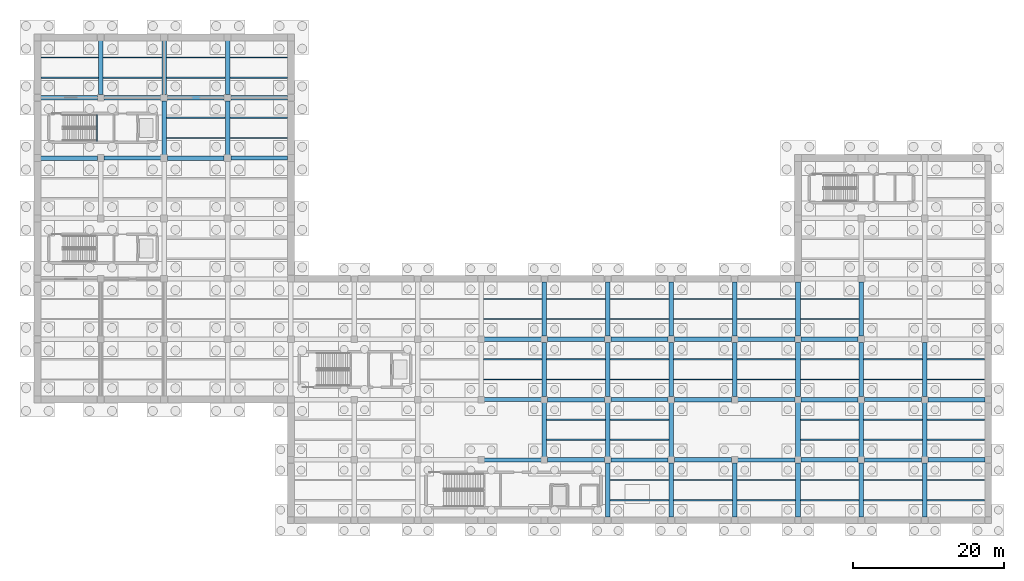
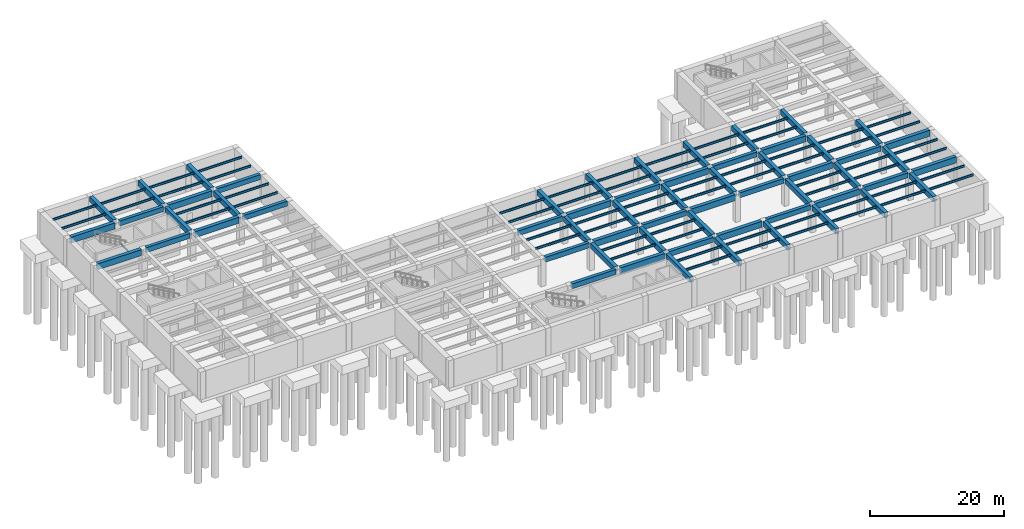
# One storey, part 4 of 12: 123 beams.
"""IFC4 building model written with IfcOpenShell, lengths in metres."""

import ifcopenshell
import ifcopenshell.guid

model = None  # the IFC model being written
_history = None  # IfcOwnerHistory: only IFC2X3 demands one
_inside = {}  # id of a spatial element -> (the spatial element, [elements in it])
_under = {}  # id of a project, library or spatial element -> (it, [spatial elements below it])
_declared = {}  # id of a project -> (the project, [libraries it declares])
_typed = {}  # id of a type object -> (the type object, [elements of that type])
_made_of = {}  # id of a material, layer set ... -> (it, [elements and type objects made of it])


def new_model(schema):
    """Start an empty IFC model of exactly this schema.

    Asked for "IFC4X3", IfcOpenShell would pick the latest addendum, in which some entities
    have other attributes; the version numbers below select the first issue.
    IFC2X3 requires an IfcOwnerHistory on every rooted entity: one is made here for all.
    """
    global model, _history
    if schema == "IFC4X3":
        model = ifcopenshell.file(schema_version=(4, 3, 0, 0))
    else:
        model = ifcopenshell.file(schema=schema)
    _inside.clear()
    _under.clear()
    _declared.clear()
    _typed.clear()
    _made_of.clear()
    _history = None
    if model.schema == "IFC2X3":
        org = make("IfcOrganization", Name="unknown")
        user = make(
            "IfcPersonAndOrganization",
            ThePerson=make("IfcPerson", FamilyName="unknown"),
            TheOrganization=org,
        )
        app = make(
            "IfcApplication",
            ApplicationDeveloper=org,
            Version="unknown",
            ApplicationFullName="unknown",
            ApplicationIdentifier="unknown",
        )
        _history = make(
            "IfcOwnerHistory",
            OwningUser=user,
            OwningApplication=app,
            ChangeAction="ADDED",
            CreationDate=0,
        )
    return model


def make(cls, **values):
    """One entity of the class cls with the attributes given. An attribute that is None is left unset."""
    return model.create_entity(
        cls, **{name: value for name, value in values.items() if value is not None}
    )


def rooted(cls, **values):
    """An entity with a GlobalId (a new one), such as an element, a storey or a relation."""
    return make(cls, GlobalId=ifcopenshell.guid.new(), OwnerHistory=_history, **values)


def si_unit(unit_type, name, prefix=None):
    """IfcSIUnit, for example si_unit("LENGTHUNIT", "METRE", prefix="MILLI")."""
    return make("IfcSIUnit", UnitType=unit_type, Prefix=prefix, Name=name)


def assignment(units):
    """IfcUnitAssignment: the units of a project."""
    return None if units is None else make("IfcUnitAssignment", Units=units)


def point(xyz):
    """IfcCartesianPoint."""
    return None if xyz is None else make("IfcCartesianPoint", Coordinates=xyz)


def direction(xyz):
    """IfcDirection."""
    return None if xyz is None else make("IfcDirection", DirectionRatios=xyz)


def frame(location, z_axis=None, x_axis=None):
    """IfcAxis2Placement3D, a coordinate frame: its origin and axes. An axis left out is left unset."""
    return make(
        "IfcAxis2Placement3D",
        Location=point(location),
        Axis=direction(z_axis),
        RefDirection=direction(x_axis),
    )


def frame_2d(location, x_axis=None):
    """IfcAxis2Placement2D, a coordinate frame in the plane: its origin and x axis."""
    return make(
        "IfcAxis2Placement2D", Location=point(location), RefDirection=direction(x_axis)
    )


def origin():
    """The frame at (0, 0, 0) with its axes left unset."""
    return frame((0.0, 0.0, 0.0))


def origin_2d():
    """The frame at (0, 0) in the plane with its x axis left unset."""
    return frame_2d((0.0, 0.0))


def place(relative_to, where):
    """IfcLocalPlacement: puts the frame where relative to a parent placement (None: the world)."""
    return make(
        "IfcLocalPlacement", PlacementRelTo=relative_to, RelativePlacement=where
    )


def context(
    kind, dimensions, precision=None, world=None, true_north=None, identifier=None
):
    """IfcGeometricRepresentationContext, for example the 3D "Model" context."""
    return make(
        "IfcGeometricRepresentationContext",
        ContextIdentifier=identifier,
        ContextType=kind,
        CoordinateSpaceDimension=dimensions,
        Precision=precision,
        WorldCoordinateSystem=world,
        TrueNorth=true_north,
    )


def subcontext(parent, identifier, kind, view, scale=None):
    """IfcGeometricRepresentationSubContext, for example "Body" below "Model"."""
    return make(
        "IfcGeometricRepresentationSubContext",
        ContextIdentifier=identifier,
        ContextType=kind,
        ParentContext=parent,
        TargetScale=scale,
        TargetView=view,
    )


def project(units=None, contexts=None):
    """IfcProject with its units and contexts."""
    return rooted(
        "IfcProject",
        Name="project",
        RepresentationContexts=contexts,
        UnitsInContext=assignment(units),
    )


def spatial(cls, under=None, at=None, **own):
    """A site, building, storey or space (cls), placed at a placement, below another one or the project."""
    s = rooted(cls, ObjectPlacement=at, **own)
    if under is not None:
        _under.setdefault(under.id(), (under, []))[1].append(s)
    return s


def profile(cls, at=None, kind="AREA", **sizes):
    """A parametric profile (cls). Its sizes go by their IFC names, for example OverallWidth=200.0."""
    return make(cls, ProfileType=kind, Position=at, **sizes)


def rectangle(**sizes):
    """IfcRectangleProfileDef."""
    return profile("IfcRectangleProfileDef", **sizes)


def i_section(**sizes):
    """IfcIShapeProfileDef."""
    return profile("IfcIShapeProfileDef", **sizes)


def extrude(swept, where, along, depth):
    """IfcExtrudedAreaSolid: the profile swept, set in the frame where, extruded along a direction by depth."""
    return make(
        "IfcExtrudedAreaSolid",
        SweptArea=swept,
        Position=where,
        ExtrudedDirection=direction(along),
        Depth=depth,
    )


def shape(context_of_items, identifier, shape_type, items):
    """IfcShapeRepresentation: the items that make up one representation, for example the "Body"."""
    return make(
        "IfcShapeRepresentation",
        ContextOfItems=context_of_items,
        RepresentationIdentifier=identifier,
        RepresentationType=shape_type,
        Items=items,
    )


def material(Name=None, Category=None):
    """IfcMaterial."""
    return make("IfcMaterial", Name=Name, Category=Category)


def material_profile(
    of_material, cross_section, Name=None, Category=None, Priority=None
):
    """IfcMaterialProfile: a cross section and its material."""
    return make(
        "IfcMaterialProfile",
        Name=Name,
        Material=of_material,
        Profile=cross_section,
        Priority=Priority,
        Category=Category,
    )


def profile_set(profiles, Name=None, composite=None):
    """IfcMaterialProfileSet."""
    return make(
        "IfcMaterialProfileSet",
        Name=Name,
        MaterialProfiles=profiles,
        CompositeProfile=composite,
    )


def made_of(thing, what):
    """Note that an element or type object is made of a material, layer set ...; save() writes the relation."""
    if what is not None:
        _made_of.setdefault(what.id(), (what, []))[1].append(thing)
    return thing


def type_object(cls, material=None, **own):
    """A type object (cls), such as IfcWallType, which elements share."""
    return made_of(rooted(cls, **own), material)


def element(
    cls,
    number,
    at=None,
    inside=None,
    cuts=None,
    type_object=None,
    material=None,
    context=None,
    identifier="Body",
    shape_type=None,
    held_by="IfcProductDefinitionShape",
    body=None,
    shapes=None,
    **own,
):
    """One element of the class cls, such as IfcWall. Its Tag is "e" and its number.

    at: its placement. inside: the storey or other place that contains it. cuts: it is an
    opening in that element (IfcRelVoidsElement). A single representation is given by context,
    identifier, shape_type and body (its items); several are given by shapes. held_by: the class
    of the entity that holds the representations. save() writes the other relations.
    """
    e = rooted(cls, Tag="e%d" % number, ObjectPlacement=at, **own)
    if body is not None:
        shapes = [shape(context, identifier, shape_type, body)]
    if shapes is not None:
        e.Representation = make(held_by, Representations=shapes)
    if inside is not None:
        _inside.setdefault(inside.id(), (inside, []))[1].append(e)
    if cuts is not None:
        rooted(
            "IfcRelVoidsElement", RelatingBuildingElement=cuts, RelatedOpeningElement=e
        )
    if type_object is not None:
        _typed.setdefault(type_object.id(), (type_object, []))[1].append(e)
    return made_of(e, material)


def aggregate(whole, parts):
    """IfcRelAggregates: a whole, such as a stair, and the parts it consists of."""
    return rooted("IfcRelAggregates", RelatingObject=whole, RelatedObjects=parts)


def save(model, path):
    """Write the relations noted so far, then the file.

    IfcRelAggregates (storeys below a building ...), IfcRelContainedInSpatialStructure (elements
    in a storey), IfcRelDefinesByType, IfcRelAssociatesMaterial and IfcRelDeclares: one each for
    every whole, place, type object, material and project.
    """
    for whole, parts in _under.values():
        aggregate(whole, parts)
    for where, things in _inside.values():
        rooted(
            "IfcRelContainedInSpatialStructure",
            RelatedElements=things,
            RelatingStructure=where,
        )
    for kind, things in _typed.values():
        rooted("IfcRelDefinesByType", RelatedObjects=things, RelatingType=kind)
    for what, things in _made_of.values():
        rooted("IfcRelAssociatesMaterial", RelatedObjects=things, RelatingMaterial=what)
    for by, libraries in _declared.values():
        rooted("IfcRelDeclares", RelatingContext=by, RelatedDefinitions=libraries)
    model.write(path)


model = new_model("IFC4")

# Units and contexts
model_context = context("Model", 3, precision=1e-05, world=origin(), true_north=direction((0.0, 1.0)))
body_context = subcontext(model_context, "Body", "Model", "MODEL_VIEW")
ifc_project = project(units=[si_unit("LENGTHUNIT", "METRE"), si_unit("AREAUNIT", "SQUARE_METRE"), si_unit("VOLUMEUNIT", "CUBIC_METRE"), si_unit("PLANEANGLEUNIT", "RADIAN"), si_unit("MASSUNIT", "GRAM", prefix="KILO")], contexts=[model_context])

# Site, building, storey
site_placement = place(None, origin())
site = spatial("IfcSite", under=ifc_project, at=site_placement, CompositionType="ELEMENT")
building_placement = place(site_placement, origin())
building = spatial("IfcBuilding", under=site, at=building_placement, Name="Kranzveld Transit Interchange", CompositionType="ELEMENT")
storey_placement = place(building_placement, frame((0.0, 0.0, -10.8798828125)))
storey = spatial("IfcBuildingStorey", under=building, at=storey_placement, Name="B2", CompositionType="ELEMENT", Elevation=-10.8798828125)

# Beams
ifc_material_1 = material(Name="Steel S355JR", Category="steel")
ifc_material_profile_1 = material_profile(ifc_material_1, i_section(OverallWidth=0.1787109375, OverallDepth=0.409423828125, WebThickness=0.0087890625, FlangeThickness=0.014404296875, FilletRadius=0.01025390625, at=origin_2d()), Name="UB 406x178x67")
ifc_profile_set_1 = profile_set([ifc_material_profile_1], Name="Steel S355JR")
beam_type_1 = type_object("IfcBeamType", Name="Floor Joist UB 406x178x67 S355JR", PredefinedType="JOIST", material=ifc_profile_set_1)
for number, where, z_axis, x_axis, name in (
    (1, (0.451904296875, 90.666748046875, 4.835205078125), (1.0, 0.0, 0.0), (0.0, 1.0, 0.0), "B2 Secondary Joist 01-02/M.1"),
    (2, (0.451904296875, 93.333251953125, 4.835205078125), (1.0, 0.0, 0.0), (0.0, 1.0, 0.0), "B2 Secondary Joist 01-02/M.2"),
):
    element("IfcBeam", number, at=place(storey_placement, frame(where, z_axis=z_axis, x_axis=x_axis)), inside=storey, type_object=beam_type_1, Name=name, PredefinedType="JOIST", context=body_context, shape_type="SweptSolid", body=[
        extrude(i_section(OverallWidth=0.1787109375, OverallDepth=0.409423828125, WebThickness=0.0087890625, FlangeThickness=0.014404296875, FilletRadius=0.01025390625, at=origin_2d()), origin(), (0.0, 0.0, 1.0), 7.64599609375),
    ])
for number, where, z_axis, x_axis, name in (
    (3, (8.701904296875, 90.666748046875, 4.835205078125), (1.0, 0.0, 0.0), (0.0, 1.0, 0.0), "B2 Secondary Joist 02-03/M.1"),
    (4, (8.701904296875, 93.333251953125, 4.835205078125), (1.0, 0.0, 0.0), (0.0, 1.0, 0.0), "B2 Secondary Joist 02-03/M.2"),
):
    element("IfcBeam", number, at=place(storey_placement, frame(where, z_axis=z_axis, x_axis=x_axis)), inside=storey, type_object=beam_type_1, Name=name, PredefinedType="JOIST", context=body_context, shape_type="SweptSolid", body=[
        extrude(i_section(OverallWidth=0.1787109375, OverallDepth=0.409423828125, WebThickness=0.0087890625, FlangeThickness=0.014404296875, FilletRadius=0.01025390625, at=origin_2d()), origin(), (0.0, 0.0, 1.0), 7.796142578125),
    ])
for number, where, z_axis, x_axis, name in (
    (5, (17.10205078125, 82.666748046875, 4.835205078125), (1.0, 0.0, 0.0), (0.0, 1.0, 0.0), "B2 Secondary Joist 03-04/L.1"),
    (6, (17.10205078125, 85.333251953125, 4.835205078125), (1.0, 0.0, 0.0), (0.0, 1.0, 0.0), "B2 Secondary Joist 03-04/L.2"),
    (7, (17.10205078125, 90.666748046875, 4.835205078125), (1.0, 0.0, 0.0), (0.0, 1.0, 0.0), "B2 Secondary Joist 03-04/M.1"),
    (8, (17.10205078125, 93.333251953125, 4.835205078125), (1.0, 0.0, 0.0), (0.0, 1.0, 0.0), "B2 Secondary Joist 03-04/M.2"),
):
    element("IfcBeam", number, at=place(storey_placement, frame(where, z_axis=z_axis, x_axis=x_axis)), inside=storey, type_object=beam_type_1, Name=name, PredefinedType="JOIST", context=body_context, shape_type="SweptSolid", body=[
        extrude(i_section(OverallWidth=0.1787109375, OverallDepth=0.409423828125, WebThickness=0.0087890625, FlangeThickness=0.014404296875, FilletRadius=0.01025390625, at=origin_2d()), origin(), (0.0, 0.0, 1.0), 7.7958984375),
    ])
for number, where, z_axis, x_axis, name in (
    (9, (25.501953125, 82.666748046875, 4.835205078125), (1.0, 0.0, 0.0), (0.0, 1.0, 0.0), "B2 Secondary Joist 04-05/L.1"),
    (10, (25.501953125, 85.333251953125, 4.835205078125), (1.0, 0.0, 0.0), (0.0, 1.0, 0.0), "B2 Secondary Joist 04-05/L.2"),
    (11, (25.501953125, 90.666748046875, 4.835205078125), (1.0, 0.0, 0.0), (0.0, 1.0, 0.0), "B2 Secondary Joist 04-05/M.1"),
    (12, (25.501953125, 93.333251953125, 4.835205078125), (1.0, 0.0, 0.0), (0.0, 1.0, 0.0), "B2 Secondary Joist 04-05/M.2"),
):
    element("IfcBeam", number, at=place(storey_placement, frame(where, z_axis=z_axis, x_axis=x_axis)), inside=storey, type_object=beam_type_1, Name=name, PredefinedType="JOIST", context=body_context, shape_type="SweptSolid", body=[
        extrude(i_section(OverallWidth=0.1787109375, OverallDepth=0.409423828125, WebThickness=0.0087890625, FlangeThickness=0.014404296875, FilletRadius=0.01025390625, at=origin_2d()), origin(), (0.0, 0.0, 1.0), 7.64599609375),
    ])
for number, where, z_axis, x_axis, name in (
    (13, (59.10205078125, 50.666748046875, 4.835205078125), (1.0, 0.0, 0.0), (0.0, 1.0, 0.0), "B2 Secondary Joist 08-09/G.1"),
    (14, (59.10205078125, 53.333251953125, 4.835205078125), (1.0, 0.0, 0.0), (0.0, 1.0, 0.0), "B2 Secondary Joist 08-09/G.2"),
    (15, (59.10205078125, 58.666748046875, 4.835205078125), (1.0, 0.0, 0.0), (0.0, 1.0, 0.0), "B2 Secondary Joist 08-09/H.1"),
    (16, (59.10205078125, 61.333251953125, 4.835205078125), (1.0, 0.0, 0.0), (0.0, 1.0, 0.0), "B2 Secondary Joist 08-09/H.2"),
):
    element("IfcBeam", number, at=place(storey_placement, frame(where, z_axis=z_axis, x_axis=x_axis)), inside=storey, type_object=beam_type_1, Name=name, PredefinedType="JOIST", context=body_context, shape_type="SweptSolid", body=[
        extrude(i_section(OverallWidth=0.1787109375, OverallDepth=0.409423828125, WebThickness=0.0087890625, FlangeThickness=0.014404296875, FilletRadius=0.01025390625, at=origin_2d()), origin(), (0.0, 0.0, 1.0), 7.7958984375),
    ])
for number, where, z_axis, x_axis, name in (
    (17, (67.501953125, 42.666748046875, 4.835205078125), (1.0, 0.0, 0.0), (0.0, 1.0, 0.0), "B2 Secondary Joist 09-10/F.1"),
    (18, (67.501953125, 45.333251953125, 4.835205078125), (1.0, 0.0, 0.0), (0.0, 1.0, 0.0), "B2 Secondary Joist 09-10/F.2"),
    (19, (67.501953125, 50.666748046875, 4.835205078125), (1.0, 0.0, 0.0), (0.0, 1.0, 0.0), "B2 Secondary Joist 09-10/G.1"),
    (20, (67.501953125, 53.333251953125, 4.835205078125), (1.0, 0.0, 0.0), (0.0, 1.0, 0.0), "B2 Secondary Joist 09-10/G.2"),
    (21, (67.501953125, 58.666748046875, 4.835205078125), (1.0, 0.0, 0.0), (0.0, 1.0, 0.0), "B2 Secondary Joist 09-10/H.1"),
    (22, (67.501953125, 61.333251953125, 4.835205078125), (1.0, 0.0, 0.0), (0.0, 1.0, 0.0), "B2 Secondary Joist 09-10/H.2"),
):
    element("IfcBeam", number, at=place(storey_placement, frame(where, z_axis=z_axis, x_axis=x_axis)), inside=storey, type_object=beam_type_1, Name=name, PredefinedType="JOIST", context=body_context, shape_type="SweptSolid", body=[
        extrude(i_section(OverallWidth=0.1787109375, OverallDepth=0.409423828125, WebThickness=0.0087890625, FlangeThickness=0.014404296875, FilletRadius=0.01025390625, at=origin_2d()), origin(), (0.0, 0.0, 1.0), 7.796142578125),
    ])
for number, where, z_axis, x_axis, name in (
    (23, (75.902099609375, 34.666748046875, 4.835205078125), (1.0, 0.0, 0.0), (0.0, 1.0, 0.0), "B2 Secondary Joist 10-11/E.1"),
    (24, (75.902099609375, 37.333251953125, 4.835205078125), (1.0, 0.0, 0.0), (0.0, 1.0, 0.0), "B2 Secondary Joist 10-11/E.2"),
    (25, (75.902099609375, 42.666748046875, 4.835205078125), (1.0, 0.0, 0.0), (0.0, 1.0, 0.0), "B2 Secondary Joist 10-11/F.1"),
    (26, (75.902099609375, 45.333251953125, 4.835205078125), (1.0, 0.0, 0.0), (0.0, 1.0, 0.0), "B2 Secondary Joist 10-11/F.2"),
    (27, (75.902099609375, 50.666748046875, 4.835205078125), (1.0, 0.0, 0.0), (0.0, 1.0, 0.0), "B2 Secondary Joist 10-11/G.1"),
    (28, (75.902099609375, 53.333251953125, 4.835205078125), (1.0, 0.0, 0.0), (0.0, 1.0, 0.0), "B2 Secondary Joist 10-11/G.2"),
    (29, (75.902099609375, 58.666748046875, 4.835205078125), (1.0, 0.0, 0.0), (0.0, 1.0, 0.0), "B2 Secondary Joist 10-11/H.1"),
    (30, (75.902099609375, 61.333251953125, 4.835205078125), (1.0, 0.0, 0.0), (0.0, 1.0, 0.0), "B2 Secondary Joist 10-11/H.2"),
    (31, (84.302001953125, 34.666748046875, 4.835205078125), (1.0, 0.0, 0.0), (0.0, 1.0, 0.0), "B2 Secondary Joist 11-12/E.1"),
    (32, (84.302001953125, 37.333251953125, 4.835205078125), (1.0, 0.0, 0.0), (0.0, 1.0, 0.0), "B2 Secondary Joist 11-12/E.2"),
    (33, (84.302001953125, 50.666748046875, 4.835205078125), (1.0, 0.0, 0.0), (0.0, 1.0, 0.0), "B2 Secondary Joist 11-12/G.1"),
    (34, (84.302001953125, 53.333251953125, 4.835205078125), (1.0, 0.0, 0.0), (0.0, 1.0, 0.0), "B2 Secondary Joist 11-12/G.2"),
    (35, (84.302001953125, 58.666748046875, 4.835205078125), (1.0, 0.0, 0.0), (0.0, 1.0, 0.0), "B2 Secondary Joist 11-12/H.1"),
    (36, (84.302001953125, 61.333251953125, 4.835205078125), (1.0, 0.0, 0.0), (0.0, 1.0, 0.0), "B2 Secondary Joist 11-12/H.2"),
):
    element("IfcBeam", number, at=place(storey_placement, frame(where, z_axis=z_axis, x_axis=x_axis)), inside=storey, type_object=beam_type_1, Name=name, PredefinedType="JOIST", context=body_context, shape_type="SweptSolid", body=[
        extrude(i_section(OverallWidth=0.1787109375, OverallDepth=0.409423828125, WebThickness=0.0087890625, FlangeThickness=0.014404296875, FilletRadius=0.01025390625, at=origin_2d()), origin(), (0.0, 0.0, 1.0), 7.7958984375),
    ])
for number, where, z_axis, x_axis, name in (
    (37, (92.701904296875, 34.666748046875, 4.835205078125), (1.0, 0.0, 0.0), (0.0, 1.0, 0.0), "B2 Secondary Joist 12-13/E.1"),
    (38, (92.701904296875, 37.333251953125, 4.835205078125), (1.0, 0.0, 0.0), (0.0, 1.0, 0.0), "B2 Secondary Joist 12-13/E.2"),
    (39, (92.701904296875, 50.666748046875, 4.835205078125), (1.0, 0.0, 0.0), (0.0, 1.0, 0.0), "B2 Secondary Joist 12-13/G.1"),
    (40, (92.701904296875, 53.333251953125, 4.835205078125), (1.0, 0.0, 0.0), (0.0, 1.0, 0.0), "B2 Secondary Joist 12-13/G.2"),
    (41, (92.701904296875, 58.666748046875, 4.835205078125), (1.0, 0.0, 0.0), (0.0, 1.0, 0.0), "B2 Secondary Joist 12-13/H.1"),
    (42, (92.701904296875, 61.333251953125, 4.835205078125), (1.0, 0.0, 0.0), (0.0, 1.0, 0.0), "B2 Secondary Joist 12-13/H.2"),
):
    element("IfcBeam", number, at=place(storey_placement, frame(where, z_axis=z_axis, x_axis=x_axis)), inside=storey, type_object=beam_type_1, Name=name, PredefinedType="JOIST", context=body_context, shape_type="SweptSolid", body=[
        extrude(i_section(OverallWidth=0.1787109375, OverallDepth=0.409423828125, WebThickness=0.0087890625, FlangeThickness=0.014404296875, FilletRadius=0.01025390625, at=origin_2d()), origin(), (0.0, 0.0, 1.0), 7.796142578125),
    ])
for number, where, z_axis, x_axis, name in (
    (43, (101.10205078125, 34.666748046875, 4.835205078125), (1.0, 0.0, 0.0), (0.0, 1.0, 0.0), "B2 Secondary Joist 13-14/E.1"),
    (44, (101.10205078125, 37.333251953125, 4.835205078125), (1.0, 0.0, 0.0), (0.0, 1.0, 0.0), "B2 Secondary Joist 13-14/E.2"),
    (45, (101.10205078125, 42.666748046875, 4.835205078125), (1.0, 0.0, 0.0), (0.0, 1.0, 0.0), "B2 Secondary Joist 13-14/F.1"),
    (46, (101.10205078125, 45.333251953125, 4.835205078125), (1.0, 0.0, 0.0), (0.0, 1.0, 0.0), "B2 Secondary Joist 13-14/F.2"),
    (47, (101.10205078125, 50.666748046875, 4.835205078125), (1.0, 0.0, 0.0), (0.0, 1.0, 0.0), "B2 Secondary Joist 13-14/G.1"),
    (48, (101.10205078125, 53.333251953125, 4.835205078125), (1.0, 0.0, 0.0), (0.0, 1.0, 0.0), "B2 Secondary Joist 13-14/G.2"),
    (49, (101.10205078125, 58.666748046875, 4.835205078125), (1.0, 0.0, 0.0), (0.0, 1.0, 0.0), "B2 Secondary Joist 13-14/H.1"),
    (50, (101.10205078125, 61.333251953125, 4.835205078125), (1.0, 0.0, 0.0), (0.0, 1.0, 0.0), "B2 Secondary Joist 13-14/H.2"),
):
    element("IfcBeam", number, at=place(storey_placement, frame(where, z_axis=z_axis, x_axis=x_axis)), inside=storey, type_object=beam_type_1, Name=name, PredefinedType="JOIST", context=body_context, shape_type="SweptSolid", body=[
        extrude(i_section(OverallWidth=0.1787109375, OverallDepth=0.409423828125, WebThickness=0.0087890625, FlangeThickness=0.014404296875, FilletRadius=0.01025390625, at=origin_2d()), origin(), (0.0, 0.0, 1.0), 7.7958984375),
    ])
for number, where, z_axis, x_axis, name in (
    (51, (109.501953125, 34.666748046875, 4.835205078125), (1.0, 0.0, 0.0), (0.0, 1.0, 0.0), "B2 Secondary Joist 14-15/E.1"),
    (52, (109.501953125, 37.333251953125, 4.835205078125), (1.0, 0.0, 0.0), (0.0, 1.0, 0.0), "B2 Secondary Joist 14-15/E.2"),
    (53, (109.501953125, 42.666748046875, 4.835205078125), (1.0, 0.0, 0.0), (0.0, 1.0, 0.0), "B2 Secondary Joist 14-15/F.1"),
    (54, (109.501953125, 45.333251953125, 4.835205078125), (1.0, 0.0, 0.0), (0.0, 1.0, 0.0), "B2 Secondary Joist 14-15/F.2"),
    (55, (109.501953125, 50.666748046875, 4.835205078125), (1.0, 0.0, 0.0), (0.0, 1.0, 0.0), "B2 Secondary Joist 14-15/G.1"),
    (56, (109.501953125, 53.333251953125, 4.835205078125), (1.0, 0.0, 0.0), (0.0, 1.0, 0.0), "B2 Secondary Joist 14-15/G.2"),
):
    element("IfcBeam", number, at=place(storey_placement, frame(where, z_axis=z_axis, x_axis=x_axis)), inside=storey, type_object=beam_type_1, Name=name, PredefinedType="JOIST", context=body_context, shape_type="SweptSolid", body=[
        extrude(i_section(OverallWidth=0.1787109375, OverallDepth=0.409423828125, WebThickness=0.0087890625, FlangeThickness=0.014404296875, FilletRadius=0.01025390625, at=origin_2d()), origin(), (0.0, 0.0, 1.0), 7.796142578125),
    ])
for number, where, z_axis, x_axis, name in (
    (57, (117.902099609375, 34.666748046875, 4.835205078125), (1.0, 0.0, 0.0), (0.0, 1.0, 0.0), "B2 Secondary Joist 15-16/E.1"),
    (58, (117.902099609375, 37.333251953125, 4.835205078125), (1.0, 0.0, 0.0), (0.0, 1.0, 0.0), "B2 Secondary Joist 15-16/E.2"),
    (59, (117.902099609375, 42.666748046875, 4.835205078125), (1.0, 0.0, 0.0), (0.0, 1.0, 0.0), "B2 Secondary Joist 15-16/F.1"),
    (60, (117.902099609375, 45.333251953125, 4.835205078125), (1.0, 0.0, 0.0), (0.0, 1.0, 0.0), "B2 Secondary Joist 15-16/F.2"),
    (61, (117.902099609375, 50.666748046875, 4.835205078125), (1.0, 0.0, 0.0), (0.0, 1.0, 0.0), "B2 Secondary Joist 15-16/G.1"),
    (62, (117.902099609375, 53.333251953125, 4.835205078125), (1.0, 0.0, 0.0), (0.0, 1.0, 0.0), "B2 Secondary Joist 15-16/G.2"),
):
    element("IfcBeam", number, at=place(storey_placement, frame(where, z_axis=z_axis, x_axis=x_axis)), inside=storey, type_object=beam_type_1, Name=name, PredefinedType="JOIST", context=body_context, shape_type="SweptSolid", body=[
        extrude(i_section(OverallWidth=0.1787109375, OverallDepth=0.409423828125, WebThickness=0.0087890625, FlangeThickness=0.014404296875, FilletRadius=0.01025390625, at=origin_2d()), origin(), (0.0, 0.0, 1.0), 7.64599609375),
    ])
ifc_material_2 = material(Name="Concrete C40/50", Category="concrete")
ifc_material_profile_2 = material_profile(ifc_material_2, rectangle(XDim=0.550048828125, YDim=0.89990234375, at=origin_2d()), Name="RC 550x900")
ifc_profile_set_2 = profile_set([ifc_material_profile_2], Name="Concrete C40/50")
beam_type_2 = type_object("IfcBeamType", Name="Girder RC 550x900 C40/50", PredefinedType="BEAM", material=ifc_profile_set_2)
beam_1_placement = place(storey_placement, frame((59.215087890625, 40.0, 4.58984375), z_axis=(1.0, 0.0, 0.0), x_axis=(0.0, 1.0, 0.0)))
element("IfcBeam", 63, at=beam_1_placement, inside=storey, type_object=beam_type_2, Name="B2 Girder 08-09/F", PredefinedType="BEAM", context=body_context, shape_type="SweptSolid", body=[
    extrude(rectangle(XDim=0.550048828125, YDim=0.89990234375, at=origin_2d()), origin(), (0.0, 0.0, 1.0), 7.56982421875),
])
for number, where, z_axis, x_axis, name in (
    (64, (76.014892578125, 40.0, 4.58984375), (1.0, 0.0, 0.0), (0.0, 1.0, 0.0), "B2 Girder 10-11/F"),
    (65, (92.81494140625, 40.0, 4.58984375), (1.0, 0.0, 0.0), (0.0, 1.0, 0.0), "B2 Girder 12-13/F"),
    (66, (109.614990234375, 40.0, 4.58984375), (1.0, 0.0, 0.0), (0.0, 1.0, 0.0), "B2 Girder 14-15/F"),
):
    element("IfcBeam", number, at=place(storey_placement, frame(where, z_axis=z_axis, x_axis=x_axis)), inside=storey, type_object=beam_type_2, Name=name, PredefinedType="BEAM", context=body_context, shape_type="SweptSolid", body=[
        extrude(rectangle(XDim=0.550048828125, YDim=0.89990234375, at=origin_2d()), origin(), (0.0, 0.0, 1.0), 7.570068359375),
    ])
beam_2_placement = place(storey_placement, frame((59.215087890625, 48.0, 4.58984375), z_axis=(1.0, 0.0, 0.0), x_axis=(0.0, 1.0, 0.0)))
element("IfcBeam", 67, at=beam_2_placement, inside=storey, type_object=beam_type_2, Name="B2 Girder 08-09/G", PredefinedType="BEAM", context=body_context, shape_type="SweptSolid", body=[
    extrude(rectangle(XDim=0.550048828125, YDim=0.89990234375, at=origin_2d()), origin(), (0.0, 0.0, 1.0), 7.56982421875),
])
for number, where, z_axis, x_axis, name in (
    (68, (76.014892578125, 48.0, 4.58984375), (1.0, 0.0, 0.0), (0.0, 1.0, 0.0), "B2 Girder 10-11/G"),
    (69, (92.81494140625, 48.0, 4.58984375), (1.0, 0.0, 0.0), (0.0, 1.0, 0.0), "B2 Girder 12-13/G"),
    (70, (109.614990234375, 48.0, 4.58984375), (1.0, 0.0, 0.0), (0.0, 1.0, 0.0), "B2 Girder 14-15/G"),
):
    element("IfcBeam", number, at=place(storey_placement, frame(where, z_axis=z_axis, x_axis=x_axis)), inside=storey, type_object=beam_type_2, Name=name, PredefinedType="BEAM", context=body_context, shape_type="SweptSolid", body=[
        extrude(rectangle(XDim=0.550048828125, YDim=0.89990234375, at=origin_2d()), origin(), (0.0, 0.0, 1.0), 7.570068359375),
    ])
beam_3_placement = place(storey_placement, frame((59.215087890625, 56.0, 4.58984375), z_axis=(1.0, 0.0, 0.0), x_axis=(0.0, 1.0, 0.0)))
element("IfcBeam", 71, at=beam_3_placement, inside=storey, type_object=beam_type_2, Name="B2 Girder 08-09/H", PredefinedType="BEAM", context=body_context, shape_type="SweptSolid", body=[
    extrude(rectangle(XDim=0.550048828125, YDim=0.89990234375, at=origin_2d()), origin(), (0.0, 0.0, 1.0), 7.56982421875),
])
for number, where, z_axis, x_axis, name in (
    (72, (76.014892578125, 56.0, 4.58984375), (1.0, 0.0, 0.0), (0.0, 1.0, 0.0), "B2 Girder 10-11/H"),
    (73, (92.81494140625, 56.0, 4.58984375), (1.0, 0.0, 0.0), (0.0, 1.0, 0.0), "B2 Girder 12-13/H"),
):
    element("IfcBeam", number, at=place(storey_placement, frame(where, z_axis=z_axis, x_axis=x_axis)), inside=storey, type_object=beam_type_2, Name=name, PredefinedType="BEAM", context=body_context, shape_type="SweptSolid", body=[
        extrude(rectangle(XDim=0.550048828125, YDim=0.89990234375, at=origin_2d()), origin(), (0.0, 0.0, 1.0), 7.570068359375),
    ])
for number, where, z_axis, x_axis, name in (
    (74, (8.840087890625, 80.0, 4.58984375), (1.0, 0.0, 0.0), (0.0, 1.0, 0.0), "B2 Girder 02-03/L"),
    (75, (25.639892578125, 80.0, 4.58984375), (1.0, 0.0, 0.0), (0.0, 1.0, 0.0), "B2 Girder 04-05/L"),
    (76, (8.840087890625, 88.0, 4.58984375), (1.0, 0.0, 0.0), (0.0, 1.0, 0.0), "B2 Girder 02-03/M"),
    (77, (25.639892578125, 88.0, 4.58984375), (1.0, 0.0, 0.0), (0.0, 1.0, 0.0), "B2 Girder 04-05/M"),
):
    element("IfcBeam", number, at=place(storey_placement, frame(where, z_axis=z_axis, x_axis=x_axis)), inside=storey, type_object=beam_type_2, Name=name, PredefinedType="BEAM", context=body_context, shape_type="SweptSolid", body=[
        extrude(rectangle(XDim=0.550048828125, YDim=0.89990234375, at=origin_2d()), origin(), (0.0, 0.0, 1.0), 7.52001953125),
    ])
ifc_material_3 = material(Name="Concrete C40/50", Category="concrete")
ifc_material_profile_3 = material_profile(ifc_material_3, rectangle(XDim=0.60009765625, YDim=1.10009765625, at=origin_2d()), Name="RC 600x1100")
ifc_profile_set_3 = profile_set([ifc_material_profile_3], Name="Concrete C40/50")
beam_type_3 = type_object("IfcBeamType", Name="Girder RC 600x1100 C40/50", PredefinedType="BEAM", material=ifc_profile_set_3)
for number, where, z_axis, x_axis, name in (
    (78, (67.614990234375, 40.0, 4.489990234375), (1.0, 0.0, 0.0), (0.0, 1.0, 0.0), "B2 Girder 09-10/F"),
    (79, (84.4150390625, 40.0, 4.489990234375), (1.0, 0.0, 0.0), (0.0, 1.0, 0.0), "B2 Girder 11-12/F"),
):
    element("IfcBeam", number, at=place(storey_placement, frame(where, z_axis=z_axis, x_axis=x_axis)), inside=storey, type_object=beam_type_3, Name=name, PredefinedType="BEAM", context=body_context, shape_type="SweptSolid", body=[
        extrude(rectangle(XDim=0.60009765625, YDim=1.10009765625, at=origin_2d()), origin(), (0.0, 0.0, 1.0), 7.570068359375),
    ])
beam_4_placement = place(storey_placement, frame((101.215087890625, 40.0, 4.489990234375), z_axis=(1.0, 0.0, 0.0), x_axis=(0.0, 1.0, 0.0)))
element("IfcBeam", 80, at=beam_4_placement, inside=storey, type_object=beam_type_3, Name="B2 Girder 13-14/F", PredefinedType="BEAM", context=body_context, shape_type="SweptSolid", body=[
    extrude(rectangle(XDim=0.60009765625, YDim=1.10009765625, at=origin_2d()), origin(), (0.0, 0.0, 1.0), 7.56982421875),
])
for number, where, z_axis, x_axis, name in (
    (81, (118.014892578125, 40.0, 4.489990234375), (1.0, 0.0, 0.0), (0.0, 1.0, 0.0), "B2 Girder 15-16/F"),
    (82, (67.614990234375, 48.0, 4.489990234375), (1.0, 0.0, 0.0), (0.0, 1.0, 0.0), "B2 Girder 09-10/G"),
    (83, (84.4150390625, 48.0, 4.489990234375), (1.0, 0.0, 0.0), (0.0, 1.0, 0.0), "B2 Girder 11-12/G"),
):
    element("IfcBeam", number, at=place(storey_placement, frame(where, z_axis=z_axis, x_axis=x_axis)), inside=storey, type_object=beam_type_3, Name=name, PredefinedType="BEAM", context=body_context, shape_type="SweptSolid", body=[
        extrude(rectangle(XDim=0.60009765625, YDim=1.10009765625, at=origin_2d()), origin(), (0.0, 0.0, 1.0), 7.570068359375),
    ])
beam_5_placement = place(storey_placement, frame((101.215087890625, 48.0, 4.489990234375), z_axis=(1.0, 0.0, 0.0), x_axis=(0.0, 1.0, 0.0)))
element("IfcBeam", 84, at=beam_5_placement, inside=storey, type_object=beam_type_3, Name="B2 Girder 13-14/G", PredefinedType="BEAM", context=body_context, shape_type="SweptSolid", body=[
    extrude(rectangle(XDim=0.60009765625, YDim=1.10009765625, at=origin_2d()), origin(), (0.0, 0.0, 1.0), 7.56982421875),
])
for number, where, z_axis, x_axis, name in (
    (85, (118.014892578125, 48.0, 4.489990234375), (1.0, 0.0, 0.0), (0.0, 1.0, 0.0), "B2 Girder 15-16/G"),
    (86, (67.614990234375, 56.0, 4.489990234375), (1.0, 0.0, 0.0), (0.0, 1.0, 0.0), "B2 Girder 09-10/H"),
    (87, (84.4150390625, 56.0, 4.489990234375), (1.0, 0.0, 0.0), (0.0, 1.0, 0.0), "B2 Girder 11-12/H"),
):
    element("IfcBeam", number, at=place(storey_placement, frame(where, z_axis=z_axis, x_axis=x_axis)), inside=storey, type_object=beam_type_3, Name=name, PredefinedType="BEAM", context=body_context, shape_type="SweptSolid", body=[
        extrude(rectangle(XDim=0.60009765625, YDim=1.10009765625, at=origin_2d()), origin(), (0.0, 0.0, 1.0), 7.570068359375),
    ])
beam_6_placement = place(storey_placement, frame((101.215087890625, 56.0, 4.489990234375), z_axis=(1.0, 0.0, 0.0), x_axis=(0.0, 1.0, 0.0)))
element("IfcBeam", 88, at=beam_6_placement, inside=storey, type_object=beam_type_3, Name="B2 Girder 13-14/H", PredefinedType="BEAM", context=body_context, shape_type="SweptSolid", body=[
    extrude(rectangle(XDim=0.60009765625, YDim=1.10009765625, at=origin_2d()), origin(), (0.0, 0.0, 1.0), 7.56982421875),
])
for number, where, z_axis, x_axis, name in (
    (89, (0.43994140625, 80.0, 4.489990234375), (1.0, 0.0, 0.0), (0.0, 1.0, 0.0), "B2 Girder 01-02/L"),
    (90, (17.239990234375, 80.0, 4.489990234375), (1.0, 0.0, 0.0), (0.0, 1.0, 0.0), "B2 Girder 03-04/L"),
    (91, (0.43994140625, 88.0, 4.489990234375), (1.0, 0.0, 0.0), (0.0, 1.0, 0.0), "B2 Girder 01-02/M"),
    (92, (17.239990234375, 88.0, 4.489990234375), (1.0, 0.0, 0.0), (0.0, 1.0, 0.0), "B2 Girder 03-04/M"),
):
    element("IfcBeam", number, at=place(storey_placement, frame(where, z_axis=z_axis, x_axis=x_axis)), inside=storey, type_object=beam_type_3, Name=name, PredefinedType="BEAM", context=body_context, shape_type="SweptSolid", body=[
        extrude(rectangle(XDim=0.60009765625, YDim=1.10009765625, at=origin_2d()), origin(), (0.0, 0.0, 1.0), 7.52001953125),
    ])
ifc_material_4 = material(Name="Concrete C40/50", Category="concrete")
ifc_material_profile_4 = material_profile(ifc_material_4, rectangle(XDim=0.60009765625, YDim=0.949951171875, at=origin_2d()), Name="RC 600x950")
ifc_profile_set_4 = profile_set([ifc_material_profile_4], Name="Concrete C40/50")
beam_type_4 = type_object("IfcBeamType", Name="Girder RC 600x950 C40/50", PredefinedType="BEAM", material=ifc_profile_set_4)
for number, where, z_axis, x_axis, name in (
    (93, (8.39990234375, 88.43994140625, 4.56494140625), (0.0, 1.0, 0.0), (-1.0, 0.0, 0.0), "B2 Girder 02/M-N"),
    (94, (16.800048828125, 80.43994140625, 4.56494140625), (0.0, 1.0, 0.0), (-1.0, 0.0, 0.0), "B2 Girder 03/L-M"),
    (95, (16.800048828125, 88.43994140625, 4.56494140625), (0.0, 1.0, 0.0), (-1.0, 0.0, 0.0), "B2 Girder 03/M-N"),
    (96, (25.199951171875, 80.43994140625, 4.56494140625), (0.0, 1.0, 0.0), (-1.0, 0.0, 0.0), "B2 Girder 04/L-M"),
    (97, (25.199951171875, 88.43994140625, 4.56494140625), (0.0, 1.0, 0.0), (-1.0, 0.0, 0.0), "B2 Girder 04/M-N"),
):
    element("IfcBeam", number, at=place(storey_placement, frame(where, z_axis=z_axis, x_axis=x_axis)), inside=storey, type_object=beam_type_4, Name=name, PredefinedType="BEAM", context=body_context, shape_type="SweptSolid", body=[
        extrude(rectangle(XDim=0.60009765625, YDim=0.949951171875, at=origin_2d()), origin(), (0.0, 0.0, 1.0), 7.1201171875),
    ])
for number, where, z_axis, x_axis, name in (
    (98, (67.199951171875, 40.4150390625, 4.56494140625), (0.0, 1.0, 0.0), (-1.0, 0.0, 0.0), "B2 Girder 09/F-G"),
    (99, (67.199951171875, 48.4150390625, 4.56494140625), (0.0, 1.0, 0.0), (-1.0, 0.0, 0.0), "B2 Girder 09/G-H"),
):
    element("IfcBeam", number, at=place(storey_placement, frame(where, z_axis=z_axis, x_axis=x_axis)), inside=storey, type_object=beam_type_4, Name=name, PredefinedType="BEAM", context=body_context, shape_type="SweptSolid", body=[
        extrude(rectangle(XDim=0.60009765625, YDim=0.949951171875, at=origin_2d()), origin(), (0.0, 0.0, 1.0), 7.169921875),
    ])
beam_7_placement = place(storey_placement, frame((67.199951171875, 56.4150390625, 4.56494140625), z_axis=(0.0, 1.0, 0.0), x_axis=(-1.0, 0.0, 0.0)))
element("IfcBeam", 100, at=beam_7_placement, inside=storey, type_object=beam_type_4, Name="B2 Girder 09/H-J", PredefinedType="BEAM", context=body_context, shape_type="SweptSolid", body=[
    extrude(rectangle(XDim=0.60009765625, YDim=0.949951171875, at=origin_2d()), origin(), (0.0, 0.0, 1.0), 7.195068359375),
])
for number, where, z_axis, x_axis, name in (
    (101, (75.60009765625, 32.4150390625, 4.56494140625), (0.0, 1.0, 0.0), (-1.0, 0.0, 0.0), "B2 Girder 10/E-F"),
    (102, (75.60009765625, 40.4150390625, 4.56494140625), (0.0, 1.0, 0.0), (-1.0, 0.0, 0.0), "B2 Girder 10/F-G"),
    (103, (75.60009765625, 48.4150390625, 4.56494140625), (0.0, 1.0, 0.0), (-1.0, 0.0, 0.0), "B2 Girder 10/G-H"),
):
    element("IfcBeam", number, at=place(storey_placement, frame(where, z_axis=z_axis, x_axis=x_axis)), inside=storey, type_object=beam_type_4, Name=name, PredefinedType="BEAM", context=body_context, shape_type="SweptSolid", body=[
        extrude(rectangle(XDim=0.60009765625, YDim=0.949951171875, at=origin_2d()), origin(), (0.0, 0.0, 1.0), 7.169921875),
    ])
beam_8_placement = place(storey_placement, frame((75.60009765625, 56.4150390625, 4.56494140625), z_axis=(0.0, 1.0, 0.0), x_axis=(-1.0, 0.0, 0.0)))
element("IfcBeam", 104, at=beam_8_placement, inside=storey, type_object=beam_type_4, Name="B2 Girder 10/H-J", PredefinedType="BEAM", context=body_context, shape_type="SweptSolid", body=[
    extrude(rectangle(XDim=0.60009765625, YDim=0.949951171875, at=origin_2d()), origin(), (0.0, 0.0, 1.0), 7.195068359375),
])
for number, where, z_axis, x_axis, name in (
    (105, (84.0, 32.4150390625, 4.56494140625), (0.0, 1.0, 0.0), (-1.0, 0.0, 0.0), "B2 Girder 11/E-F"),
    (106, (84.0, 40.4150390625, 4.56494140625), (0.0, 1.0, 0.0), (-1.0, 0.0, 0.0), "B2 Girder 11/F-G"),
    (107, (84.0, 48.4150390625, 4.56494140625), (0.0, 1.0, 0.0), (-1.0, 0.0, 0.0), "B2 Girder 11/G-H"),
):
    element("IfcBeam", number, at=place(storey_placement, frame(where, z_axis=z_axis, x_axis=x_axis)), inside=storey, type_object=beam_type_4, Name=name, PredefinedType="BEAM", context=body_context, shape_type="SweptSolid", body=[
        extrude(rectangle(XDim=0.60009765625, YDim=0.949951171875, at=origin_2d()), origin(), (0.0, 0.0, 1.0), 7.169921875),
    ])
beam_9_placement = place(storey_placement, frame((84.0, 56.4150390625, 4.56494140625), z_axis=(0.0, 1.0, 0.0), x_axis=(-1.0, 0.0, 0.0)))
element("IfcBeam", 108, at=beam_9_placement, inside=storey, type_object=beam_type_4, Name="B2 Girder 11/H-J", PredefinedType="BEAM", context=body_context, shape_type="SweptSolid", body=[
    extrude(rectangle(XDim=0.60009765625, YDim=0.949951171875, at=origin_2d()), origin(), (0.0, 0.0, 1.0), 7.195068359375),
])
for number, where, z_axis, x_axis, name in (
    (109, (92.39990234375, 32.4150390625, 4.56494140625), (0.0, 1.0, 0.0), (-1.0, 0.0, 0.0), "B2 Girder 12/E-F"),
    (110, (92.39990234375, 48.4150390625, 4.56494140625), (0.0, 1.0, 0.0), (-1.0, 0.0, 0.0), "B2 Girder 12/G-H"),
):
    element("IfcBeam", number, at=place(storey_placement, frame(where, z_axis=z_axis, x_axis=x_axis)), inside=storey, type_object=beam_type_4, Name=name, PredefinedType="BEAM", context=body_context, shape_type="SweptSolid", body=[
        extrude(rectangle(XDim=0.60009765625, YDim=0.949951171875, at=origin_2d()), origin(), (0.0, 0.0, 1.0), 7.169921875),
    ])
beam_10_placement = place(storey_placement, frame((92.39990234375, 56.4150390625, 4.56494140625), z_axis=(0.0, 1.0, 0.0), x_axis=(-1.0, 0.0, 0.0)))
element("IfcBeam", 111, at=beam_10_placement, inside=storey, type_object=beam_type_4, Name="B2 Girder 12/H-J", PredefinedType="BEAM", context=body_context, shape_type="SweptSolid", body=[
    extrude(rectangle(XDim=0.60009765625, YDim=0.949951171875, at=origin_2d()), origin(), (0.0, 0.0, 1.0), 7.195068359375),
])
for number, where, z_axis, x_axis, name in (
    (112, (100.800048828125, 32.4150390625, 4.56494140625), (0.0, 1.0, 0.0), (-1.0, 0.0, 0.0), "B2 Girder 13/E-F"),
    (113, (100.800048828125, 40.4150390625, 4.56494140625), (0.0, 1.0, 0.0), (-1.0, 0.0, 0.0), "B2 Girder 13/F-G"),
    (114, (100.800048828125, 48.4150390625, 4.56494140625), (0.0, 1.0, 0.0), (-1.0, 0.0, 0.0), "B2 Girder 13/G-H"),
):
    element("IfcBeam", number, at=place(storey_placement, frame(where, z_axis=z_axis, x_axis=x_axis)), inside=storey, type_object=beam_type_4, Name=name, PredefinedType="BEAM", context=body_context, shape_type="SweptSolid", body=[
        extrude(rectangle(XDim=0.60009765625, YDim=0.949951171875, at=origin_2d()), origin(), (0.0, 0.0, 1.0), 7.169921875),
    ])
beam_11_placement = place(storey_placement, frame((100.800048828125, 56.4150390625, 4.56494140625), z_axis=(0.0, 1.0, 0.0), x_axis=(-1.0, 0.0, 0.0)))
element("IfcBeam", 115, at=beam_11_placement, inside=storey, type_object=beam_type_4, Name="B2 Girder 13/H-J", PredefinedType="BEAM", context=body_context, shape_type="SweptSolid", body=[
    extrude(rectangle(XDim=0.60009765625, YDim=0.949951171875, at=origin_2d()), origin(), (0.0, 0.0, 1.0), 7.14501953125),
])
for number, where, z_axis, x_axis, name in (
    (116, (109.199951171875, 32.4150390625, 4.56494140625), (0.0, 1.0, 0.0), (-1.0, 0.0, 0.0), "B2 Girder 14/E-F"),
    (117, (109.199951171875, 40.4150390625, 4.56494140625), (0.0, 1.0, 0.0), (-1.0, 0.0, 0.0), "B2 Girder 14/F-G"),
    (118, (109.199951171875, 48.4150390625, 4.56494140625), (0.0, 1.0, 0.0), (-1.0, 0.0, 0.0), "B2 Girder 14/G-H"),
):
    element("IfcBeam", number, at=place(storey_placement, frame(where, z_axis=z_axis, x_axis=x_axis)), inside=storey, type_object=beam_type_4, Name=name, PredefinedType="BEAM", context=body_context, shape_type="SweptSolid", body=[
        extrude(rectangle(XDim=0.60009765625, YDim=0.949951171875, at=origin_2d()), origin(), (0.0, 0.0, 1.0), 7.169921875),
    ])
beam_12_placement = place(storey_placement, frame((109.199951171875, 56.4150390625, 4.56494140625), z_axis=(0.0, 1.0, 0.0), x_axis=(-1.0, 0.0, 0.0)))
element("IfcBeam", 119, at=beam_12_placement, inside=storey, type_object=beam_type_4, Name="B2 Girder 14/H-J", PredefinedType="BEAM", context=body_context, shape_type="SweptSolid", body=[
    extrude(rectangle(XDim=0.60009765625, YDim=0.949951171875, at=origin_2d()), origin(), (0.0, 0.0, 1.0), 7.14501953125),
])
for number, where, z_axis, x_axis, name in (
    (120, (117.60009765625, 32.4150390625, 4.56494140625), (0.0, 1.0, 0.0), (-1.0, 0.0, 0.0), "B2 Girder 15/E-F"),
    (121, (117.60009765625, 40.4150390625, 4.56494140625), (0.0, 1.0, 0.0), (-1.0, 0.0, 0.0), "B2 Girder 15/F-G"),
    (122, (117.60009765625, 48.4150390625, 4.56494140625), (0.0, 1.0, 0.0), (-1.0, 0.0, 0.0), "B2 Girder 15/G-H"),
):
    element("IfcBeam", number, at=place(storey_placement, frame(where, z_axis=z_axis, x_axis=x_axis)), inside=storey, type_object=beam_type_4, Name=name, PredefinedType="BEAM", context=body_context, shape_type="SweptSolid", body=[
        extrude(rectangle(XDim=0.60009765625, YDim=0.949951171875, at=origin_2d()), origin(), (0.0, 0.0, 1.0), 7.169921875),
    ])
ifc_material_5 = material(Name="Steel S355JR", Category="steel")
ifc_material_profile_5 = material_profile(ifc_material_5, i_section(OverallWidth=0.165771484375, OverallDepth=0.306640625, WebThickness=0.006591796875, FlangeThickness=0.01171875, FilletRadius=0.0087890625, at=origin_2d()), Name="UB 305x165x46")
ifc_profile_set_5 = profile_set([ifc_material_profile_5], Name="Steel S355JR")
beam_type_5 = type_object("IfcBeamType", Name="Roof Joist UB 305x165x46 S355JR", PredefinedType="JOIST", material=ifc_profile_set_5)
beam_13_placement = place(storey_placement, frame((7.909912109375, 82.22998046875, 2.36669921875), z_axis=(0.0, 1.0, 0.0), x_axis=(-1.0, 0.0, 0.0)))
element("IfcBeam", 123, at=beam_13_placement, inside=storey, type_object=beam_type_5, Name="B2 ST-C2 Half-Landing Support Beam", PredefinedType="BEAM", context=body_context, shape_type="SweptSolid", body=[
    extrude(i_section(OverallWidth=0.165771484375, OverallDepth=0.306640625, WebThickness=0.006591796875, FlangeThickness=0.01171875, FilletRadius=0.0087890625, at=origin_2d()), origin(), (0.0, 0.0, 1.0), 3.5400390625),
])

save(model, "model.ifc")
